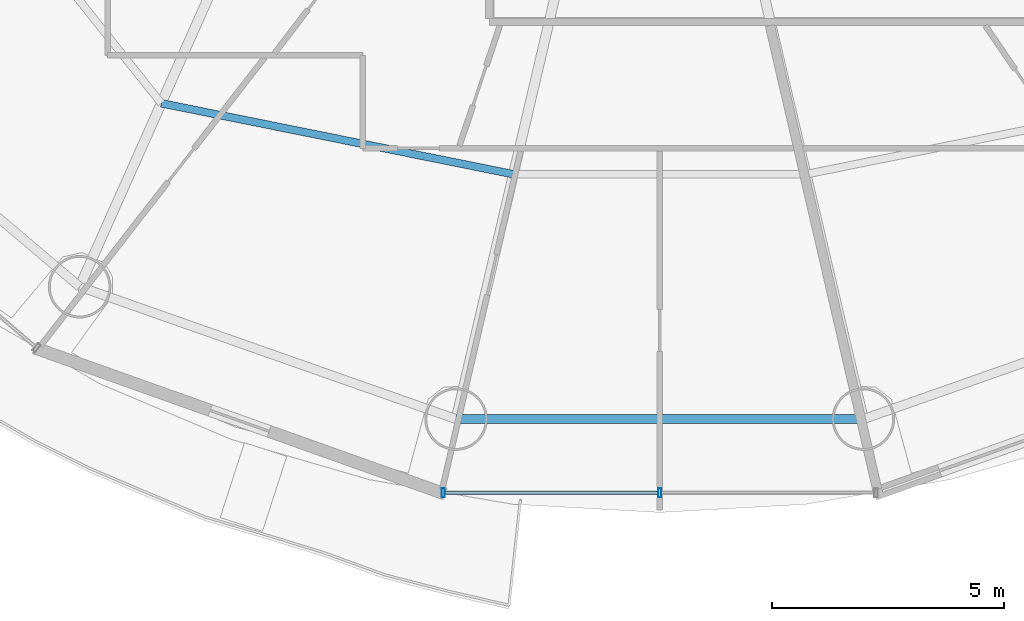
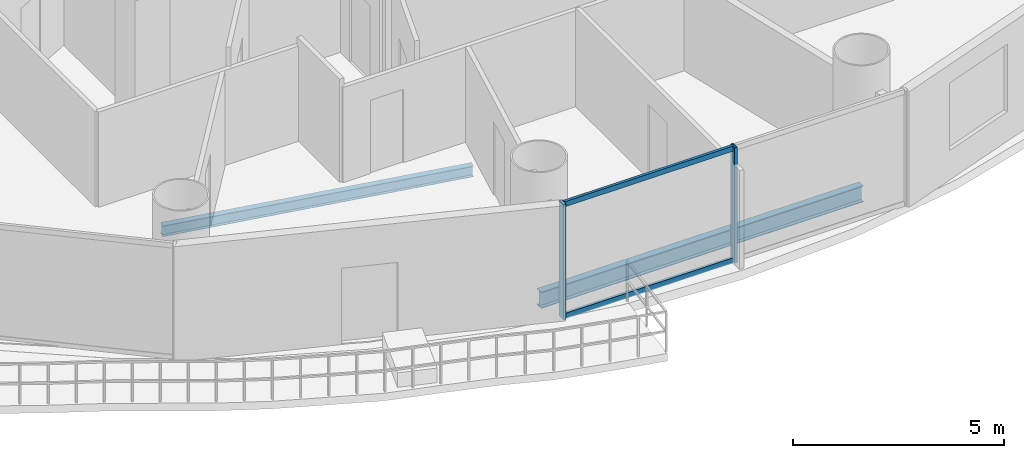
# One storey, part 4 of 26: 4 members, 2 beams, 1 element without a shape of its own.
"""IFC4 building model written with IfcOpenShell, lengths in metres."""

from ifc_helpers import new_model, si_unit, direction, frame, origin, origin_2d, place, context, subcontext, project, spatial, hollow_rectangle, i_section, extrude, source, transform, mapped, material, material_profile, profile_set, type_object, element, aggregate, save


model = new_model("IFC4")

# Units and contexts
model_context = context("Model", 3, precision=1e-05, world=origin(), true_north=direction((-0.2419218956, 0.970295726276)))
body_context = subcontext(model_context, "Body", "Model", "MODEL_VIEW")
ifc_project = project(units=[si_unit("LENGTHUNIT", "METRE"), si_unit("AREAUNIT", "SQUARE_METRE"), si_unit("VOLUMEUNIT", "CUBIC_METRE"), si_unit("PLANEANGLEUNIT", "RADIAN"), si_unit("MASSUNIT", "GRAM", prefix="KILO")], contexts=[model_context])

# Site, building, storey
site_placement = place(None, origin())
site = spatial("IfcSite", under=ifc_project, at=site_placement, CompositionType="ELEMENT")
building_placement = place(site_placement, origin())
building = spatial("IfcBuilding", under=site, at=building_placement, Name="Cobrevalo Terracotta Tower", CompositionType="ELEMENT")
storey_placement = place(building_placement, frame((0.0, 0.0, 139.0)))
storey = spatial("IfcBuildingStorey", under=building, at=storey_placement, Name="L36", CompositionType="ELEMENT", Elevation=139.0)

# Beams
ifc_material_1 = material(Name="Steel S355", Category="steel")
ifc_material_profile_1 = material_profile(ifc_material_1, i_section(OverallWidth=0.1650390625, OverallDepth=0.31005859375, WebThickness=0.005859375, FlangeThickness=0.009765625, at=origin_2d()), Name="W 310x38.7")
ifc_profile_set_1 = profile_set([ifc_material_profile_1], Name="Steel S355")
beam_type_1 = type_object("IfcBeamType", Name="Structural Joist W 310x38.7 (Steel S355)", PredefinedType="JOIST", material=ifc_profile_set_1)
beam_1_placement = place(storey_placement, frame((27.23583984375, 14.838623046875, -0.425048828125), z_axis=(0.980293928329, -0.197544461026, 0.0), x_axis=(0.197544461026, 0.980293928329, 0.0)))
element("IfcBeam", 1, at=beam_1_placement, inside=storey, type_object=beam_type_1, Name="L36 circumferential secondary floor joist 11", PredefinedType="JOIST", context=body_context, shape_type="SweptSolid", body=[
    extrude(i_section(OverallWidth=0.1650390625, OverallDepth=0.31005859375, WebThickness=0.005859375, FlangeThickness=0.009765625, at=origin_2d()), origin(), (0.0, 0.0, 1.0), 7.75634765625),
])
ifc_material_profile_2 = material_profile(ifc_material_1, i_section(OverallWidth=0.194091796875, OverallDepth=0.468994140625, WebThickness=0.011474609375, FlangeThickness=0.0205078125, at=origin_2d()), Name="W 460x106")
ifc_profile_set_2 = profile_set([ifc_material_profile_2], Name="Steel S355")
beam_type_2 = type_object("IfcBeamType", Name="Structural Spandrel W 460x106 (Steel S355)", PredefinedType="SPANDREL", material=ifc_profile_set_2)
beam_2_placement = place(storey_placement, frame((33.600830078125, 8.01806640625, -0.50439453125), z_axis=(1.0, 0.0, 0.0), x_axis=(0.0, 1.0, 0.0)))
element("IfcBeam", 2, at=beam_2_placement, inside=storey, type_object=beam_type_2, Name="L36 perimeter ring spandrel 12", PredefinedType="SPANDREL", context=body_context, shape_type="SweptSolid", body=[
    extrude(i_section(OverallWidth=0.194091796875, OverallDepth=0.468994140625, WebThickness=0.011474609375, FlangeThickness=0.0205078125, at=origin_2d()), origin(), (0.0, 0.0, 1.0), 8.79833984375),
])

# Curtain wall, members
ifc_material_2 = material(Name="Anodized aluminium", Category="aluminium")
curtain_wall_type = type_object("IfcCurtainWallType", Name="Mid-tower high-wind unitised curtain wall CW-U2", PredefinedType="NOTDEFINED", material=ifc_material_2)
curtain_wall_placement = place(storey_placement, origin())
curtain_wall = element("IfcCurtainWall", 3, at=curtain_wall_placement, inside=storey, type_object=curtain_wall_type, Name="L36 curtain wall CW-L36-S12", PredefinedType="NOTDEFINED")
ifc_material_profile_3 = material_profile(ifc_material_2, hollow_rectangle(XDim=0.074951171875, YDim=0.199951171875, WallThickness=0.0048828125, at=origin_2d()), Name="CWM 75x200")
ifc_profile_set_3 = profile_set([ifc_material_profile_3], Name="Anodized aluminium")
member_type_1 = type_object("IfcMemberType", Name="Lower/mid tower unitised mullion 75x200", PredefinedType="MULLION", material=ifc_profile_set_3)
shared_shape_1 = source(origin(), body_context, "Body", "SweptSolid", [
    extrude(hollow_rectangle(XDim=0.074951171875, YDim=0.199951171875, WallThickness=0.0048828125, at=origin_2d()), origin(), (0.0, 0.0, 1.0), 3.330078125),
])
member_1_placement = place(storey_placement, frame((33.32470703125, 6.42919921875, 0.0), z_axis=(0.0, 0.0, 1.0), x_axis=(1.0, 0.0, 0.0)))
member_1 = element("IfcMember", 4, at=member_1_placement, type_object=member_type_1, Name="CW-L36-S12 vertical mullion 01", PredefinedType="MULLION", context=body_context, shape_type="MappedRepresentation", body=[
    mapped(shared_shape_1, transform((0.0, 0.0, 0.0), scale=1.0)),
])
member_2_placement = place(storey_placement, frame((38.0, 6.42919921875, 0.0), z_axis=(0.0, 0.0, 1.0), x_axis=(1.0, 0.0, 0.0)))
member_2 = element("IfcMember", 5, at=member_2_placement, type_object=member_type_1, Name="CW-L36-S12 vertical mullion 02", PredefinedType="MULLION", context=body_context, shape_type="MappedRepresentation", body=[
    mapped(shared_shape_1, transform((0.0, 0.0, 0.0), scale=1.0)),
])
ifc_material_profile_4 = material_profile(ifc_material_2, hollow_rectangle(XDim=0.074951171875, YDim=0.14990234375, WallThickness=0.00439453125, at=origin_2d()), Name="CWT 75x150")
ifc_profile_set_4 = profile_set([ifc_material_profile_4], Name="Anodized aluminium")
member_type_2 = type_object("IfcMemberType", Name="Tower unitised aluminium transom 75x150", PredefinedType="USERDEFINED", material=ifc_profile_set_4)
shared_shape_2 = source(origin(), body_context, "Body", "SweptSolid", [
    extrude(hollow_rectangle(XDim=0.074951171875, YDim=0.14990234375, WallThickness=0.00439453125, at=origin_2d()), origin(), (0.0, 0.0, 1.0), 4.59521484375),
])
member_3_placement = place(storey_placement, frame((33.36474609375, 6.42919921875, 0.050048828125), z_axis=(1.0, 0.0, 0.0), x_axis=(0.0, 1.0, 0.0)))
member_3 = element("IfcMember", 6, at=member_3_placement, type_object=member_type_2, Name="CW-L36-S12 transom B01-T1", ObjectType="TRANSOM", PredefinedType="USERDEFINED", context=body_context, shape_type="MappedRepresentation", body=[
    mapped(shared_shape_2, transform((0.0, 0.0, 0.0), scale=1.0)),
])
member_4_placement = place(storey_placement, frame((33.36474609375, 6.42919921875, 3.280029296875), z_axis=(1.0, 0.0, 0.0), x_axis=(0.0, 1.0, 0.0)))
member_4 = element("IfcMember", 7, at=member_4_placement, type_object=member_type_2, Name="CW-L36-S12 transom B01-T2", ObjectType="TRANSOM", PredefinedType="USERDEFINED", context=body_context, shape_type="MappedRepresentation", body=[
    mapped(shared_shape_2, transform((0.0, 0.0, 0.0), scale=1.0)),
])
aggregate(curtain_wall, [member_1, member_2, member_3, member_4])

save(model, "model.ifc")
